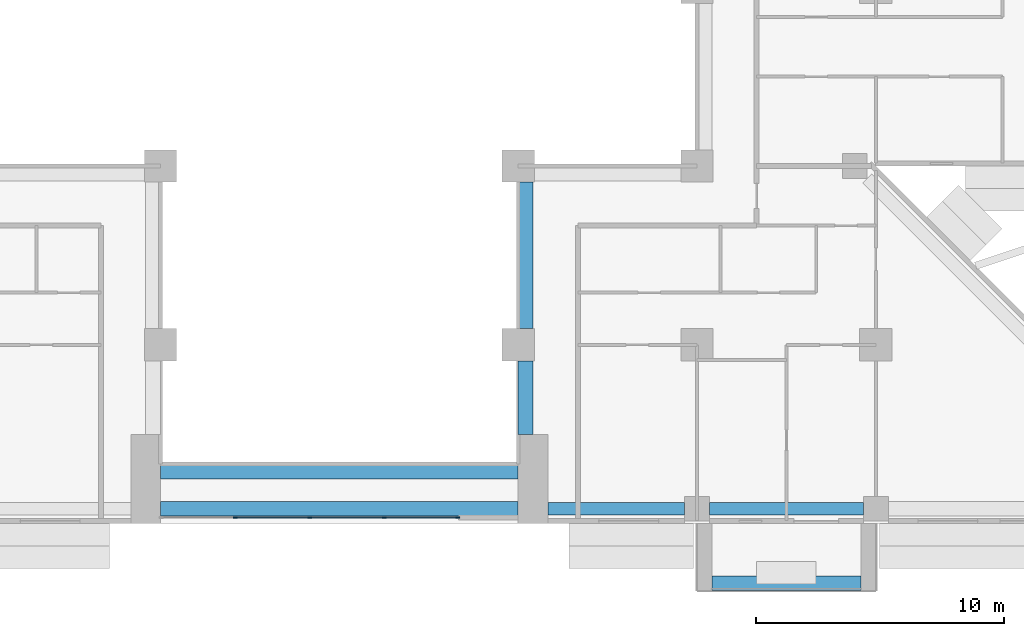
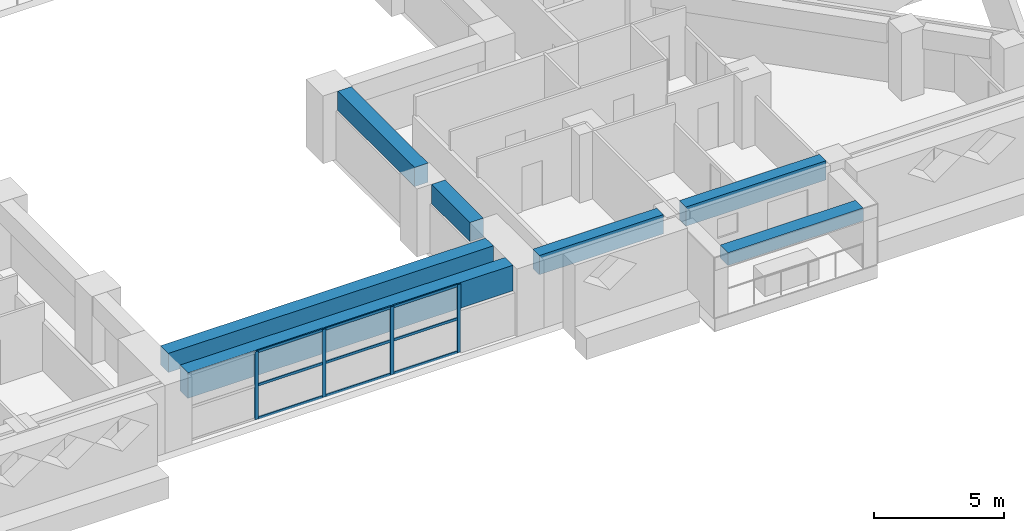
# One storey, part 4 of 17: 13 members, 7 beams, 1 element without a shape of its own.
"""IFC4 building model written with IfcOpenShell, lengths in metres."""

from ifc_helpers import new_model, si_unit, direction, frame, origin, origin_2d, place, context, subcontext, project, spatial, rectangle, extrude, source, transform, mapped, material, layer, layer_set, material_profile, profile_set, type_object, element, aggregate, save


model = new_model("IFC4")

# Units and contexts
model_context = context("Model", 3, precision=1e-05, world=origin(), true_north=direction((0.0, 1.0)))
body_context = subcontext(model_context, "Body", "Model", "MODEL_VIEW")
ifc_project = project(units=[si_unit("LENGTHUNIT", "METRE"), si_unit("AREAUNIT", "SQUARE_METRE"), si_unit("VOLUMEUNIT", "CUBIC_METRE"), si_unit("PLANEANGLEUNIT", "RADIAN"), si_unit("MASSUNIT", "GRAM", prefix="KILO")], contexts=[model_context])

# Site, building, storey
site_placement = place(None, origin())
site = spatial("IfcSite", under=ifc_project, at=site_placement, CompositionType="ELEMENT")
building_placement = place(site_placement, origin())
building = spatial("IfcBuilding", under=site, at=building_placement, Name="Saffron Iwan Residences", CompositionType="ELEMENT")
storey_placement = place(building_placement, frame((0.0, 0.0, 72.5)))
storey = spatial("IfcBuildingStorey", under=building, at=storey_placement, Name="L18", CompositionType="ELEMENT", Elevation=72.5)

# Beams
ifc_material_1 = material(Name="Concrete C60/75", Category="concrete")
ifc_material_profile_1 = material_profile(ifc_material_1, rectangle(XDim=0.60009765625, YDim=1.199951171875, at=origin_2d()), Name="RC 600x1200")
ifc_profile_set_1 = profile_set([ifc_material_profile_1], Name="Concrete C60/75")
beam_type_1 = type_object("IfcBeamType", Name="LINTEL BEAM RC 600x1200 C60/75 TOP 3180", PredefinedType="LINTEL", material=ifc_profile_set_1)
shared_shape_1 = source(origin(), body_context, "Body", "SweptSolid", [
    extrude(rectangle(XDim=0.60009765625, YDim=1.199951171875, at=origin_2d()), origin(), (0.0, 0.0, 1.0), 14.400146484375),
])
beam_1_placement = place(storey_placement, frame((57.60009765625, 34.199951171875, 2.580078125), z_axis=(-1.0, 0.0, 0.0), x_axis=(0.0, -1.0, 0.0)))
element("IfcBeam", 1, at=beam_1_placement, inside=storey, type_object=beam_type_1, Name="Lintel beam over the iwan", PredefinedType="LINTEL", context=body_context, shape_type="MappedRepresentation", body=[
    mapped(shared_shape_1, transform((0.0, 0.0, 0.0))),
])
ifc_material_profile_2 = material_profile(ifc_material_1, rectangle(XDim=0.60009765625, YDim=0.89990234375, at=origin_2d()), Name="RC 600x900")
ifc_profile_set_2 = profile_set([ifc_material_profile_2], Name="Concrete C60/75")
beam_type_2 = type_object("IfcBeamType", Name="BEAM RC 600x900 C60/75 TOP 3180", PredefinedType="BEAM", material=ifc_profile_set_2)
shared_shape_2 = source(origin(), body_context, "Body", "SweptSolid", [
    extrude(rectangle(XDim=0.60009765625, YDim=0.89990234375, at=origin_2d()), origin(), (0.0, 0.0, 1.0), 14.400146484375),
])
beam_2_placement = place(storey_placement, frame((57.60009765625, 35.699951171875, 2.72998046875), z_axis=(-1.0, 0.0, 0.0), x_axis=(0.0, -1.0, 0.0)))
element("IfcBeam", 2, at=beam_2_placement, inside=storey, type_object=beam_type_2, Name="Atrium edge beam", PredefinedType="BEAM", context=body_context, shape_type="MappedRepresentation", body=[
    mapped(shared_shape_2, transform((0.0, 0.0, 0.0))),
])
ifc_material_profile_3 = material_profile(ifc_material_1, rectangle(XDim=0.5, YDim=0.89990234375, at=origin_2d()), Name="RC 500x900")
ifc_profile_set_3 = profile_set([ifc_material_profile_3], Name="Concrete C60/75")
beam_type_3 = type_object("IfcBeamType", Name="SPANDREL BEAM RC 500x900 C60/75 TOP 3180", PredefinedType="SPANDREL", material=ifc_profile_set_3)
shared_shape_3 = source(origin(), body_context, "Body", "SweptSolid", [
    extrude(rectangle(XDim=0.5, YDim=0.89990234375, at=origin_2d()), origin(), (0.0, 0.0, 1.0), 6.199951171875),
])
beam_3_placement = place(storey_placement, frame((71.5, 34.199951171875, 2.72998046875), z_axis=(-1.0, 0.0, 0.0), x_axis=(0.0, -1.0, 0.0)))
element("IfcBeam", 3, at=beam_3_placement, inside=storey, type_object=beam_type_3, Name="Spandrel beam", PredefinedType="SPANDREL", context=body_context, shape_type="MappedRepresentation", body=[
    mapped(shared_shape_3, transform((0.0, 0.0, 0.0))),
])
shared_shape_4 = source(origin(), body_context, "Body", "SweptSolid", [
    extrude(rectangle(XDim=0.5, YDim=0.89990234375, at=origin_2d()), origin(), (0.0, 0.0, 1.0), 5.5),
])
beam_4_placement = place(storey_placement, frame((64.300048828125, 34.199951171875, 2.72998046875), z_axis=(-1.0, 0.0, 0.0), x_axis=(0.0, -1.0, 0.0)))
element("IfcBeam", 4, at=beam_4_placement, inside=storey, type_object=beam_type_3, Name="Spandrel beam", PredefinedType="SPANDREL", context=body_context, shape_type="MappedRepresentation", body=[
    mapped(shared_shape_4, transform((0.0, 0.0, 0.0))),
])
shared_shape_5 = source(origin(), body_context, "Body", "SweptSolid", [
    extrude(rectangle(XDim=0.60009765625, YDim=0.89990234375, at=origin_2d()), origin(), (0.0, 0.0, 1.0), 2.949951171875),
])
beam_5_placement = place(storey_placement, frame((57.89990234375, 40.14990234375, 2.72998046875), z_axis=(0.0, -1.0, 0.0), x_axis=(1.0, 0.0, 0.0)))
element("IfcBeam", 5, at=beam_5_placement, inside=storey, type_object=beam_type_2, Name="Atrium edge beam", PredefinedType="BEAM", context=body_context, shape_type="MappedRepresentation", body=[
    mapped(shared_shape_5, transform((0.0, 0.0, 0.0))),
])
shared_shape_6 = source(origin(), body_context, "Body", "SweptSolid", [
    extrude(rectangle(XDim=0.60009765625, YDim=0.89990234375, at=origin_2d()), origin(), (0.0, 0.0, 1.0), 5.900146484375),
])
beam_6_placement = place(storey_placement, frame((57.89990234375, 47.35009765625, 2.72998046875), z_axis=(0.0, -1.0, 0.0), x_axis=(1.0, 0.0, 0.0)))
element("IfcBeam", 6, at=beam_6_placement, inside=storey, type_object=beam_type_2, Name="Atrium edge beam", PredefinedType="BEAM", context=body_context, shape_type="MappedRepresentation", body=[
    mapped(shared_shape_6, transform((0.0, 0.0, 0.0))),
])

# Curtain wall, members
ifc_material_2 = material(Name="Clear glass, laminated double glazed", Category="glass")
ifc_layer = layer(ifc_material_2, 0.199951171875)
ifc_layer_set = layer_set([ifc_layer], Name="Clear glass, laminated double glazed")
curtain_wall_type = type_object("IfcCurtainWallType", Name="CW-B IWAN PORTAL", PredefinedType="NOTDEFINED", material=ifc_layer_set)
curtain_wall_placement = place(storey_placement, origin())
curtain_wall = element("IfcCurtainWall", 7, at=curtain_wall_placement, inside=storey, type_object=curtain_wall_type, Name="Iwan portal glazing L18.1", PredefinedType="NOTDEFINED")
ifc_material_3 = material(Name="Aluminium 6063-T6", Category="aluminium")
ifc_material_profile_4 = material_profile(ifc_material_3, rectangle(XDim=0.06005859375, YDim=0.159912109375, at=origin_2d()), Name="CW-B MULLION 60 x 160")
ifc_profile_set_4 = profile_set([ifc_material_profile_4], Name="Aluminium 6063-T6")
member_type_1 = type_object("IfcMemberType", Name="CW-B MULLION 60 x 160", PredefinedType="MULLION", material=ifc_profile_set_4)
shared_shape_7 = source(origin(), body_context, "Body", "SweptSolid", [
    extrude(rectangle(XDim=0.06005859375, YDim=0.159912109375, at=origin_2d()), origin(), (0.0, 0.0, 1.0), 3.179931640625),
])
member_1_placement = place(storey_placement, frame((46.199951171875, 33.85009765625, 0.0), z_axis=(0.0, 0.0, 1.0), x_axis=(0.0, 1.0, 0.0)))
member_1 = element("IfcMember", 8, at=member_1_placement, type_object=member_type_1, Name="CW-B mullion 2", PredefinedType="MULLION", context=body_context, shape_type="MappedRepresentation", body=[
    mapped(shared_shape_7, transform((0.0, 0.0, 0.0))),
])
member_2_placement = place(storey_placement, frame((49.199951171875, 33.85009765625, 0.0), z_axis=(0.0, 0.0, 1.0), x_axis=(0.0, 1.0, 0.0)))
member_2 = element("IfcMember", 9, at=member_2_placement, type_object=member_type_1, Name="CW-B mullion 3", PredefinedType="MULLION", context=body_context, shape_type="MappedRepresentation", body=[
    mapped(shared_shape_7, transform((0.0, 0.0, 0.0))),
])
member_3_placement = place(storey_placement, frame((52.199951171875, 33.85009765625, 0.0), z_axis=(0.0, 0.0, 1.0), x_axis=(0.0, 1.0, 0.0)))
member_3 = element("IfcMember", 10, at=member_3_placement, type_object=member_type_1, Name="CW-B mullion 4", PredefinedType="MULLION", context=body_context, shape_type="MappedRepresentation", body=[
    mapped(shared_shape_7, transform((0.0, 0.0, 0.0))),
])
member_4_placement = place(storey_placement, frame((55.169921875, 33.85009765625, 0.0), z_axis=(0.0, 0.0, 1.0), x_axis=(0.0, 1.0, 0.0)))
member_4 = element("IfcMember", 11, at=member_4_placement, type_object=member_type_1, Name="CW-B mullion 5", PredefinedType="MULLION", context=body_context, shape_type="MappedRepresentation", body=[
    mapped(shared_shape_7, transform((0.0, 0.0, 0.0))),
])
ifc_material_profile_5 = material_profile(ifc_material_3, rectangle(XDim=0.06005859375, YDim=0.1201171875, at=origin_2d()), Name="CW-B TRANSOM 60 x 120")
ifc_profile_set_5 = profile_set([ifc_material_profile_5], Name="Aluminium 6063-T6")
member_type_2 = type_object("IfcMemberType", Name="CW-B TRANSOM 60 x 120", PredefinedType="USERDEFINED", material=ifc_profile_set_5)
shared_shape_8 = source(origin(), body_context, "Body", "SweptSolid", [
    extrude(rectangle(XDim=0.06005859375, YDim=0.1201171875, at=origin_2d()), origin(), (0.0, 0.0, 1.0), 2.909912109375),
])
member_5_placement = place(storey_placement, frame((52.22998046875, 33.85009765625, 0.030029296875), z_axis=(1.0, 0.0, 0.0), x_axis=(0.0, 1.0, 0.0)))
member_5 = element("IfcMember", 12, at=member_5_placement, type_object=member_type_2, Name="CW-B transom 4.1", ObjectType="TRANSOM", PredefinedType="USERDEFINED", context=body_context, shape_type="MappedRepresentation", body=[
    mapped(shared_shape_8, transform((0.0, 0.0, 0.0))),
])
member_6_placement = place(storey_placement, frame((52.22998046875, 33.85009765625, 1.590087890625), z_axis=(1.0, 0.0, 0.0), x_axis=(0.0, 1.0, 0.0)))
member_6 = element("IfcMember", 13, at=member_6_placement, type_object=member_type_2, Name="CW-B transom 4.2", ObjectType="TRANSOM", PredefinedType="USERDEFINED", context=body_context, shape_type="MappedRepresentation", body=[
    mapped(shared_shape_8, transform((0.0, 0.0, 0.0))),
])
member_7_placement = place(storey_placement, frame((52.22998046875, 33.85009765625, 3.14990234375), z_axis=(1.0, 0.0, 0.0), x_axis=(0.0, 1.0, 0.0)))
member_7 = element("IfcMember", 14, at=member_7_placement, type_object=member_type_2, Name="CW-B transom 4.3", ObjectType="TRANSOM", PredefinedType="USERDEFINED", context=body_context, shape_type="MappedRepresentation", body=[
    mapped(shared_shape_8, transform((0.0, 0.0, 0.0))),
])
shared_shape_9 = source(origin(), body_context, "Body", "SweptSolid", [
    extrude(rectangle(XDim=0.06005859375, YDim=0.1201171875, at=origin_2d()), origin(), (0.0, 0.0, 1.0), 2.93994140625),
])
member_8_placement = place(storey_placement, frame((46.22998046875, 33.85009765625, 0.030029296875), z_axis=(1.0, 0.0, 0.0), x_axis=(0.0, 1.0, 0.0)))
member_8 = element("IfcMember", 15, at=member_8_placement, type_object=member_type_2, Name="CW-B transom 2.1", ObjectType="TRANSOM", PredefinedType="USERDEFINED", context=body_context, shape_type="MappedRepresentation", body=[
    mapped(shared_shape_9, transform((0.0, 0.0, 0.0))),
])
member_9_placement = place(storey_placement, frame((46.22998046875, 33.85009765625, 1.590087890625), z_axis=(1.0, 0.0, 0.0), x_axis=(0.0, 1.0, 0.0)))
member_9 = element("IfcMember", 16, at=member_9_placement, type_object=member_type_2, Name="CW-B transom 2.2", ObjectType="TRANSOM", PredefinedType="USERDEFINED", context=body_context, shape_type="MappedRepresentation", body=[
    mapped(shared_shape_9, transform((0.0, 0.0, 0.0))),
])
member_10_placement = place(storey_placement, frame((46.22998046875, 33.85009765625, 3.14990234375), z_axis=(1.0, 0.0, 0.0), x_axis=(0.0, 1.0, 0.0)))
member_10 = element("IfcMember", 17, at=member_10_placement, type_object=member_type_2, Name="CW-B transom 2.3", ObjectType="TRANSOM", PredefinedType="USERDEFINED", context=body_context, shape_type="MappedRepresentation", body=[
    mapped(shared_shape_9, transform((0.0, 0.0, 0.0))),
])
member_11_placement = place(storey_placement, frame((49.22998046875, 33.85009765625, 0.030029296875), z_axis=(1.0, 0.0, 0.0), x_axis=(0.0, 1.0, 0.0)))
member_11 = element("IfcMember", 18, at=member_11_placement, type_object=member_type_2, Name="CW-B transom 3.1", ObjectType="TRANSOM", PredefinedType="USERDEFINED", context=body_context, shape_type="MappedRepresentation", body=[
    mapped(shared_shape_9, transform((0.0, 0.0, 0.0))),
])
member_12_placement = place(storey_placement, frame((49.22998046875, 33.85009765625, 1.590087890625), z_axis=(1.0, 0.0, 0.0), x_axis=(0.0, 1.0, 0.0)))
member_12 = element("IfcMember", 19, at=member_12_placement, type_object=member_type_2, Name="CW-B transom 3.2", ObjectType="TRANSOM", PredefinedType="USERDEFINED", context=body_context, shape_type="MappedRepresentation", body=[
    mapped(shared_shape_9, transform((0.0, 0.0, 0.0))),
])
member_13_placement = place(storey_placement, frame((49.22998046875, 33.85009765625, 3.14990234375), z_axis=(1.0, 0.0, 0.0), x_axis=(0.0, 1.0, 0.0)))
member_13 = element("IfcMember", 20, at=member_13_placement, type_object=member_type_2, Name="CW-B transom 3.3", ObjectType="TRANSOM", PredefinedType="USERDEFINED", context=body_context, shape_type="MappedRepresentation", body=[
    mapped(shared_shape_9, transform((0.0, 0.0, 0.0))),
])
aggregate(curtain_wall, [member_1, member_2, member_3, member_4, member_8, member_9, member_10, member_11, member_12, member_13, member_5, member_6, member_7])

# Beam
ifc_material_4 = material(Name="Concrete C50/60 white painted", Category="concrete")
ifc_material_profile_6 = material_profile(ifc_material_4, rectangle(XDim=0.60009765625, YDim=0.60009765625, at=origin_2d()), Name="BALCONY FASCIA BEAM 600 x 600")
ifc_profile_set_6 = profile_set([ifc_material_profile_6], Name="Concrete C50/60 white painted")
beam_type_4 = type_object("IfcBeamType", Name="BALCONY FASCIA BEAM 600 x 600", PredefinedType="BEAM", material=ifc_profile_set_6)
shared_shape_10 = source(origin(), body_context, "Body", "SweptSolid", [
    extrude(rectangle(XDim=0.60009765625, YDim=0.60009765625, at=origin_2d()), origin(), (0.0, 0.0, 1.0), 6.0),
])
beam_7_placement = place(storey_placement, frame((65.39990234375, 31.199951171875, 2.550048828125), z_axis=(1.0, 0.0, 0.0), x_axis=(0.0, 1.0, 0.0)))
element("IfcBeam", 21, at=beam_7_placement, inside=storey, type_object=beam_type_4, Name="Balcony fascia beam L18 11-1", PredefinedType="BEAM", context=body_context, shape_type="MappedRepresentation", body=[
    mapped(shared_shape_10, transform((0.0, 0.0, 0.0))),
])

save(model, "model.ifc")
